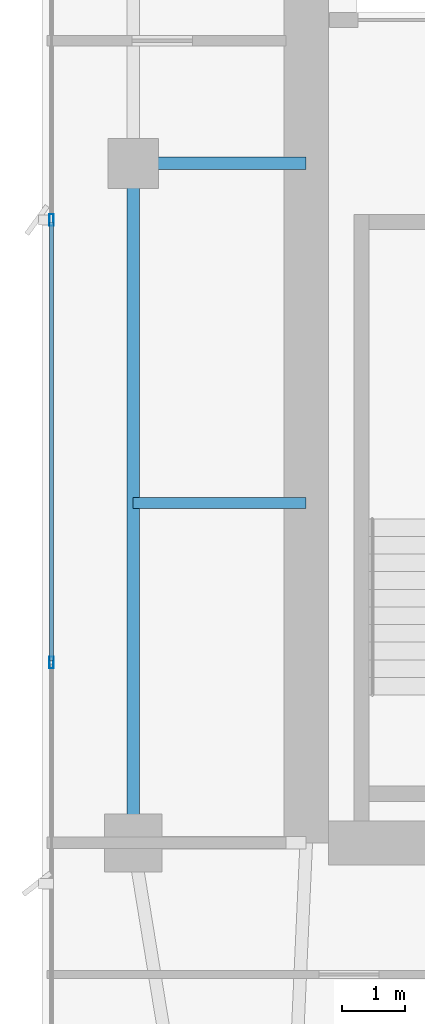
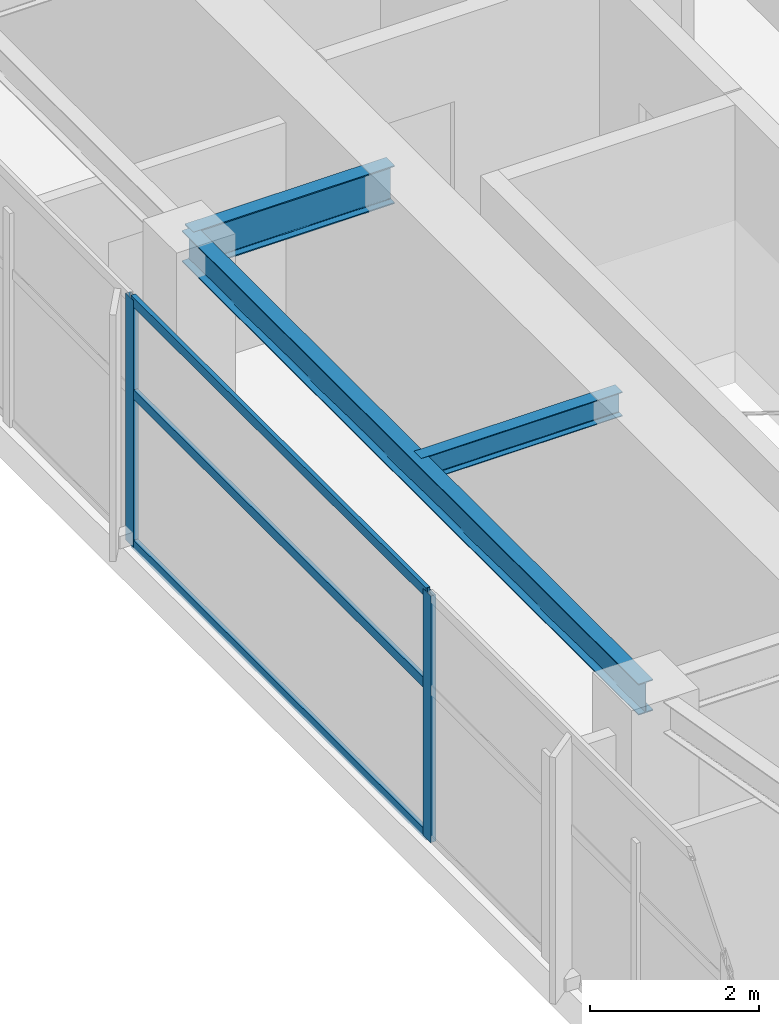
# One storey, part 8 of 28: 5 members, 3 beams, 1 element without a shape of its own.
"""IFC4 building model written with IfcOpenShell, lengths in metres."""

from ifc_helpers import new_model, si_unit, direction, frame, origin, origin_2d, place, context, subcontext, project, spatial, hollow_rectangle, i_section, extrude, material, layer, layer_set, material_profile, profile_set, type_object, element, aggregate, save


model = new_model("IFC4")

# Units and contexts
model_context = context("Model", 3, precision=1e-05, world=origin(), true_north=direction((0.0, 1.0)))
body_context = subcontext(model_context, "Body", "Model", "MODEL_VIEW")
ifc_project = project(units=[si_unit("LENGTHUNIT", "METRE"), si_unit("AREAUNIT", "SQUARE_METRE"), si_unit("VOLUMEUNIT", "CUBIC_METRE"), si_unit("PLANEANGLEUNIT", "RADIAN"), si_unit("MASSUNIT", "GRAM", prefix="KILO")], contexts=[model_context])

# Site, building, storey
site_placement = place(None, origin())
site = spatial("IfcSite", under=ifc_project, at=site_placement, CompositionType="ELEMENT")
building_placement = place(site_placement, origin())
building = spatial("IfcBuilding", under=site, at=building_placement, Name="Calvorn Quay Hotel", CompositionType="ELEMENT")
storey_placement = place(building_placement, frame((0.0, 0.0, 243.800048828125)))
storey = spatial("IfcBuildingStorey", under=building, at=storey_placement, Name="L60", CompositionType="ELEMENT", Elevation=243.800048828125)

# Beams
ifc_material_1 = material(Name="Steel Q355B", Category="steel")
ifc_material_profile_1 = material_profile(ifc_material_1, i_section(OverallWidth=0.199951171875, OverallDepth=0.550048828125, WebThickness=0.010009765625, FlangeThickness=0.01611328125, FilletRadius=0.01806640625, at=origin_2d()), Name="HN550x200x10x16")
ifc_profile_set_1 = profile_set([ifc_material_profile_1], Name="Steel Q355B")
beam_type_1 = type_object("IfcBeamType", Name="BM-GIRD-UPP", PredefinedType="BEAM", material=ifc_profile_set_1)
beam_1_placement = place(storey_placement, frame((1.449951171875, 27.60009765625, 3.264892578125), z_axis=(1.0, 0.0, 0.0), x_axis=(0.0, 1.0, 0.0)))
element("IfcBeam", 1, at=beam_1_placement, inside=storey, type_object=beam_type_1, Name="Beam BG-L60-W2", PredefinedType="BEAM", context=body_context, shape_type="SweptSolid", body=[
    extrude(i_section(OverallWidth=0.199951171875, OverallDepth=0.550048828125, WebThickness=0.010009765625, FlangeThickness=0.01611328125, FilletRadius=0.01806640625, at=origin_2d()), origin(), (0.0, 0.0, 1.0), 2.75),
])
ifc_material_2 = material(Name="Steel Q355B", Category="steel")
ifc_material_profile_2 = material_profile(ifc_material_2, i_section(OverallWidth=0.175048828125, OverallDepth=0.35009765625, WebThickness=0.007080078125, FlangeThickness=0.010986328125, FilletRadius=0.013916015625, at=origin_2d()), Name="HN350x175x7x11")
ifc_profile_set_2 = profile_set([ifc_material_profile_2], Name="Steel Q355B")
beam_type_2 = type_object("IfcBeamType", Name="BM-JOIST-SEC", PredefinedType="JOIST", material=ifc_profile_set_2)
beam_2_placement = place(storey_placement, frame((1.449951171875, 22.199951171875, 3.364990234375), z_axis=(1.0, 0.0, 0.0), x_axis=(0.0, 1.0, 0.0)))
element("IfcBeam", 2, at=beam_2_placement, inside=storey, type_object=beam_type_2, Name="Beam BJ-L60-W3", PredefinedType="JOIST", context=body_context, shape_type="SweptSolid", body=[
    extrude(i_section(OverallWidth=0.175048828125, OverallDepth=0.35009765625, WebThickness=0.007080078125, FlangeThickness=0.010986328125, FilletRadius=0.013916015625, at=origin_2d()), origin(), (0.0, 0.0, 1.0), 2.75),
])
ifc_material_3 = material(Name="Steel Q355B", Category="steel")
ifc_material_profile_3 = material_profile(ifc_material_3, i_section(OverallWidth=0.199951171875, OverallDepth=0.449951171875, WebThickness=0.009033203125, FlangeThickness=0.013916015625, FilletRadius=0.01611328125, at=origin_2d()), Name="HN450x200x9x14")
ifc_profile_set_3 = profile_set([ifc_material_profile_3], Name="Steel Q355B")
beam_type_3 = type_object("IfcBeamType", Name="BM-SPANDREL-Z3", PredefinedType="SPANDREL", material=ifc_profile_set_3)
beam_3_placement = place(storey_placement, frame((1.449951171875, 16.800048828125, 3.31494140625), z_axis=(0.0, 1.0, 0.0), x_axis=(-1.0, 0.0, 0.0)))
element("IfcBeam", 3, at=beam_3_placement, inside=storey, type_object=beam_type_3, Name="Beam BSP-L60-W2", PredefinedType="SPANDREL", context=body_context, shape_type="SweptSolid", body=[
    extrude(i_section(OverallWidth=0.199951171875, OverallDepth=0.449951171875, WebThickness=0.009033203125, FlangeThickness=0.013916015625, FilletRadius=0.01611328125, at=origin_2d()), origin(), (0.0, 0.0, 1.0), 10.800048828125),
])

# Curtain wall, members
ifc_material_4 = material(Name="Champagne Bronze Anodised Aluminium and Low-E Glass", Category="aluminium")
ifc_layer = layer(ifc_material_4, 0.219970703125)
ifc_layer_set = layer_set([ifc_layer], Name="CW-SYS-Z3")
curtain_wall_type = type_object("IfcCurtainWallType", Name="CW-SYS-Z3", PredefinedType="NOTDEFINED", material=ifc_layer_set)
curtain_wall_placement = place(storey_placement, origin())
curtain_wall = element("IfcCurtainWall", 4, at=curtain_wall_placement, inside=storey, type_object=curtain_wall_type, Name="Tower West Curtain Wall (L60)", PredefinedType="NOTDEFINED")
ifc_material_5 = material(Name="Champagne Bronze Anodised Aluminium 6063-T6", Category="aluminium")
ifc_material_profile_4 = material_profile(ifc_material_5, hollow_rectangle(XDim=0.068115234375, YDim=0.18505859375, WallThickness=0.00390625, at=origin_2d()), Name="ALU-M185x68x4")
ifc_profile_set_4 = profile_set([ifc_material_profile_4], Name="Champagne Bronze Anodised Aluminium 6063-T6")
member_type_1 = type_object("IfcMemberType", Name="CW-SYS-Z3-MUL", PredefinedType="MULLION", material=ifc_profile_set_4)
member_1_placement = place(storey_placement, frame((0.14990234375, 19.666748046875, 0.0), z_axis=(0.0, 0.0, 1.0), x_axis=(-1.0, 0.0, 0.0)))
member_1 = element("IfcMember", 5, at=member_1_placement, type_object=member_type_1, Name="CW-L60-W mullion 3", PredefinedType="MULLION", context=body_context, shape_type="SweptSolid", body=[
    extrude(hollow_rectangle(XDim=0.068115234375, YDim=0.18505859375, WallThickness=0.00390625, at=origin_2d()), origin(), (0.0, 0.0, 1.0), 3.56005859375),
])
member_2_placement = place(storey_placement, frame((0.14990234375, 26.699951171875, 0.0), z_axis=(0.0, 0.0, 1.0), x_axis=(-1.0, 0.0, 0.0)))
member_2 = element("IfcMember", 6, at=member_2_placement, type_object=member_type_1, Name="CW-L60-W mullion 4", PredefinedType="MULLION", context=body_context, shape_type="SweptSolid", body=[
    extrude(hollow_rectangle(XDim=0.068115234375, YDim=0.18505859375, WallThickness=0.00390625, at=origin_2d()), origin(), (0.0, 0.0, 1.0), 3.56005859375),
])
ifc_material_6 = material(Name="Champagne Bronze Anodised Aluminium 6063-T6", Category="aluminium")
ifc_material_profile_5 = material_profile(ifc_material_6, hollow_rectangle(XDim=0.05810546875, YDim=0.139892578125, WallThickness=0.003173828125, at=origin_2d()), Name="ALU-T140x58x3.2")
ifc_profile_set_5 = profile_set([ifc_material_profile_5], Name="Champagne Bronze Anodised Aluminium 6063-T6")
member_type_2 = type_object("IfcMemberType", Name="CW-SYS-Z3-TRN", PredefinedType="USERDEFINED", material=ifc_profile_set_5)
member_3_placement = place(storey_placement, frame((0.14990234375, 19.69677734375, 0.030029296875), z_axis=(0.0, 1.0, 0.0), x_axis=(-1.0, 0.0, 0.0)))
member_3 = element("IfcMember", 7, at=member_3_placement, type_object=member_type_2, Name="CW-L60-W transom 3.1", ObjectType="TRANSOM", PredefinedType="USERDEFINED", context=body_context, shape_type="SweptSolid", body=[
    extrude(hollow_rectangle(XDim=0.05810546875, YDim=0.139892578125, WallThickness=0.003173828125, at=origin_2d()), origin(), (0.0, 0.0, 1.0), 6.97314453125),
])
member_4_placement = place(storey_placement, frame((0.14990234375, 19.69677734375, 2.199951171875), z_axis=(0.0, 1.0, 0.0), x_axis=(-1.0, 0.0, 0.0)))
member_4 = element("IfcMember", 8, at=member_4_placement, type_object=member_type_2, Name="CW-L60-W transom 3.2", ObjectType="TRANSOM", PredefinedType="USERDEFINED", context=body_context, shape_type="SweptSolid", body=[
    extrude(hollow_rectangle(XDim=0.05810546875, YDim=0.139892578125, WallThickness=0.003173828125, at=origin_2d()), origin(), (0.0, 0.0, 1.0), 6.97314453125),
])
member_5_placement = place(storey_placement, frame((0.14990234375, 19.69677734375, 3.530029296875), z_axis=(0.0, 1.0, 0.0), x_axis=(-1.0, 0.0, 0.0)))
member_5 = element("IfcMember", 9, at=member_5_placement, type_object=member_type_2, Name="CW-L60-W transom 3.3", ObjectType="TRANSOM", PredefinedType="USERDEFINED", context=body_context, shape_type="SweptSolid", body=[
    extrude(hollow_rectangle(XDim=0.05810546875, YDim=0.139892578125, WallThickness=0.003173828125, at=origin_2d()), origin(), (0.0, 0.0, 1.0), 6.97314453125),
])
aggregate(curtain_wall, [member_1, member_2, member_3, member_4, member_5])

save(model, "model.ifc")
